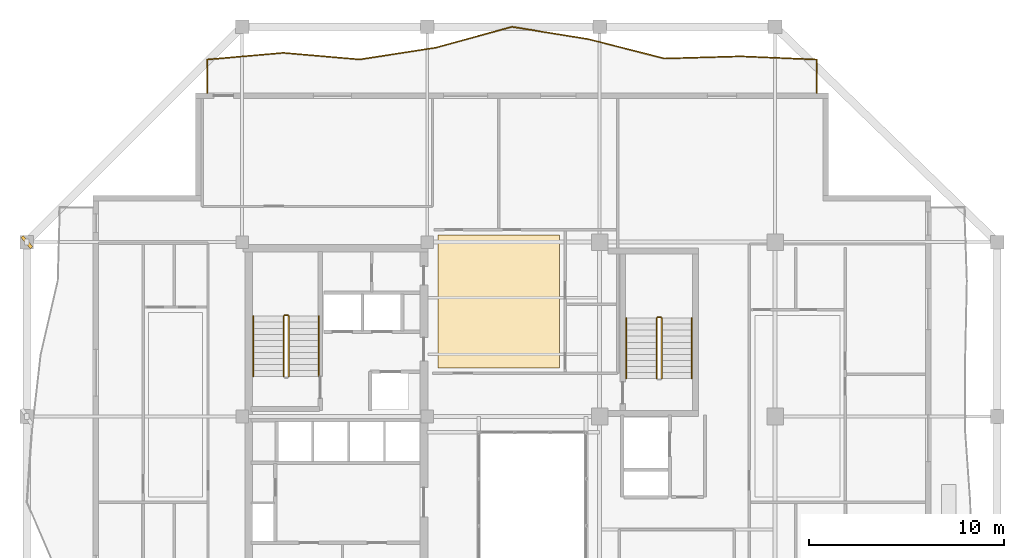
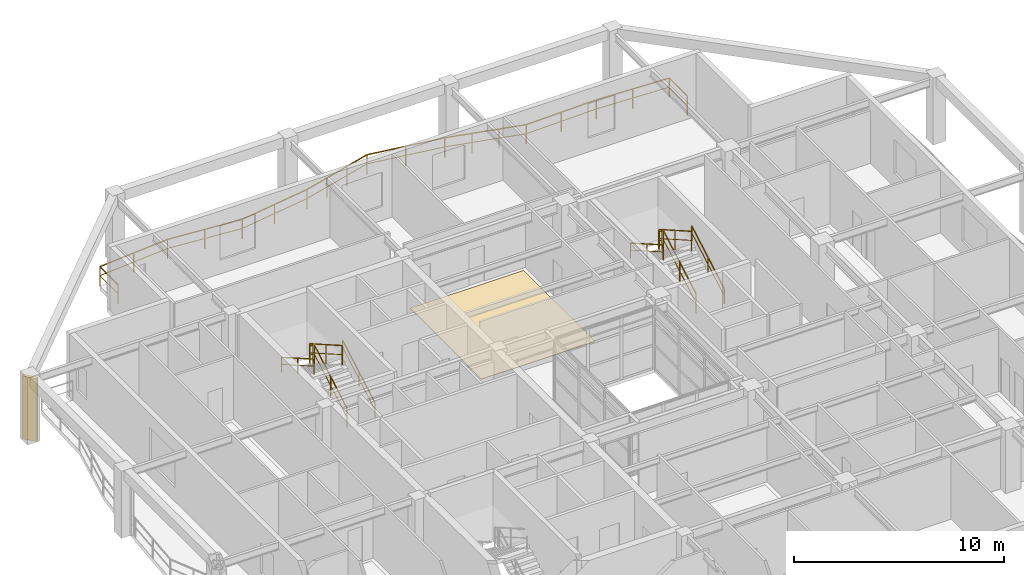
# One storey, part 14 of 15: 11 railings, 1 covering, 1 shading device.
"""IFC4 building model written with IfcOpenShell, lengths in metres."""

from ifc_helpers import new_model, si_unit, direction, frame, origin, origin_2d, place, context, subcontext, project, spatial, polyline, rectangle, outline, extrude, material, layer, layer_set, type_object, element, save


model = new_model("IFC4")

# Units and contexts
model_context = context("Model", 3, precision=1e-05, world=origin(), true_north=direction((0.0, 1.0)))
body_context = subcontext(model_context, "Body", "Model", "MODEL_VIEW")
ifc_project = project(units=[si_unit("LENGTHUNIT", "METRE"), si_unit("AREAUNIT", "SQUARE_METRE"), si_unit("VOLUMEUNIT", "CUBIC_METRE"), si_unit("PLANEANGLEUNIT", "RADIAN"), si_unit("MASSUNIT", "GRAM", prefix="KILO")], contexts=[model_context])

# Site, building, storey
site_placement = place(None, origin())
site = spatial("IfcSite", under=ifc_project, at=site_placement, CompositionType="ELEMENT")
building_placement = place(site_placement, origin())
building = spatial("IfcBuilding", under=site, at=building_placement, Name="Kundavana Baori Tower", CompositionType="ELEMENT")
storey_placement = place(building_placement, frame((0.0, 0.0, 214.10009765625)))
storey = spatial("IfcBuildingStorey", under=building, at=storey_placement, Name="L52", CompositionType="ELEMENT", Elevation=214.10009765625)

# Covering
ifc_material_1 = material(Name="Honed Kota Stone and Terrazzo Flooring", Category="masonry")
ifc_layer = layer(ifc_material_1, 0.030029296875, Name="COV-INT-FLR")
ifc_layer_set = layer_set([ifc_layer], Name="Honed Kota Stone and Terrazzo Flooring")
covering_type = type_object("IfcCoveringType", Name="COV-INT-FLR", PredefinedType="FLOORING", material=ifc_layer_set)
covering_placement = place(storey_placement, origin())
element("IfcCovering", 1, at=covering_placement, inside=storey, type_object=covering_type, Name="L52 Room Finished Stone Flooring 4", PredefinedType="FLOORING", context=body_context, shape_type="SweptSolid", body=[
    extrude(outline(polyline([(25.5, 35.5), (31.75, 35.5), (31.75, 42.31005859375), (25.5, 42.31005859375), (25.5, 35.5)])), origin(), (0.0, 0.0, 1.0), 0.02978515625),
])

# Railings
ifc_material_2 = material(Name="Architectural Patinated Bronze Metalwork")
railing_type_1 = type_object("IfcRailingType", Name="RL-BAL-1150", PredefinedType="BALUSTRADE", material=ifc_material_2)
railing_1_placement = place(storey_placement, frame((13.64990234375, 49.60009765625, 0.0)))
element("IfcRailing", 2, at=railing_1_placement, inside=storey, type_object=railing_type_1, Name="L52 Loggia Balcony Balustrade N", PredefinedType="BALUSTRADE", context=body_context, shape_type="SweptSolid", body=[
    extrude(rectangle(XDim=0.048095703125, YDim=0.048095703125, at=origin_2d()), frame((0.0, 0.0, 1.1259765625), z_axis=(0.0, 1.0, 0.0), x_axis=(-1.0, 0.0, 0.0)), (0.0, 0.0, 1.0), 1.719970703125),
    extrude(rectangle(XDim=0.03125, YDim=0.03125, at=origin_2d()), frame((0.0, 0.0, 0.597900390625), z_axis=(0.0, 1.0, 0.0), x_axis=(-1.0, 0.0, 0.0)), (0.0, 0.0, 1.0), 1.719970703125),
    extrude(rectangle(XDim=0.048095703125, YDim=0.048095703125, at=origin_2d()), frame((0.0, 1.719970703125, 1.1259765625), z_axis=(0.996134650998, 0.087839382293, 0.0), x_axis=(-0.087839382293, 0.996134650998, 0.0)), (0.0, 0.0, 1.0), 3.92724609375),
    extrude(rectangle(XDim=0.03125, YDim=0.03125, at=origin_2d()), frame((0.0, 1.719970703125, 0.597900390625), z_axis=(0.996134650998, 0.087839382293, 0.0), x_axis=(-0.087839382293, 0.996134650998, 0.0)), (0.0, 0.0, 1.0), 3.92724609375),
    extrude(rectangle(XDim=0.048095703125, YDim=0.048095703125, at=origin_2d()), frame((3.912109375, 2.06494140625, 1.1259765625), z_axis=(0.996265968205, -0.086337249179, 0.0), x_axis=(0.086337249179, 0.996265968205, 0.0)), (0.0, 0.0, 1.0), 3.927734375),
    extrude(rectangle(XDim=0.03125, YDim=0.03125, at=origin_2d()), frame((3.912109375, 2.06494140625, 0.597900390625), z_axis=(0.996265968205, -0.086337249179, 0.0), x_axis=(0.086337249179, 0.996265968205, 0.0)), (0.0, 0.0, 1.0), 3.927734375),
    extrude(rectangle(XDim=0.048095703125, YDim=0.048095703125, at=origin_2d()), frame((7.8251953125, 1.725830078125, 1.1259765625), z_axis=(0.988294579625, 0.15255760841, 0.0), x_axis=(-0.15255760841, 0.988294579625, 0.0)), (0.0, 0.0, 1.0), 3.959228515625),
    extrude(rectangle(XDim=0.03125, YDim=0.03125, at=origin_2d()), frame((7.8251953125, 1.725830078125, 0.597900390625), z_axis=(0.988294579625, 0.15255760841, 0.0), x_axis=(-0.15255760841, 0.988294579625, 0.0)), (0.0, 0.0, 1.0), 3.959228515625),
    extrude(rectangle(XDim=0.048095703125, YDim=0.048095703125, at=origin_2d()), frame((11.738037109375, 2.329833984375, 1.1259765625), z_axis=(0.964567688051, 0.263835507784, 0.0), x_axis=(-0.263835507784, 0.964567688051, 0.0)), (0.0, 0.0, 1.0), 4.055908203125),
    extrude(rectangle(XDim=0.03125, YDim=0.03125, at=origin_2d()), frame((11.738037109375, 2.329833984375, 0.597900390625), z_axis=(0.964567688051, 0.263835507784, 0.0), x_axis=(-0.263835507784, 0.964567688051, 0.0)), (0.0, 0.0, 1.0), 4.055908203125),
    extrude(rectangle(XDim=0.048095703125, YDim=0.048095703125, at=origin_2d()), frame((15.650146484375, 3.39990234375, 1.1259765625), z_axis=(0.987241120713, -0.159232438825, 0.0), x_axis=(0.159232438825, 0.987241120713, 0.0)), (0.0, 0.0, 1.0), 3.96337890625),
    extrude(rectangle(XDim=0.03125, YDim=0.03125, at=origin_2d()), frame((15.650146484375, 3.39990234375, 0.597900390625), z_axis=(0.987241120713, -0.159232438825, 0.0), x_axis=(0.159232438825, 0.987241120713, 0.0)), (0.0, 0.0, 1.0), 3.96337890625),
    extrude(rectangle(XDim=0.048095703125, YDim=0.048095703125, at=origin_2d()), frame((19.56298828125, 2.768798828125, 1.1259765625), z_axis=(0.969152617232, -0.246461365153, 0.0), x_axis=(0.246461365153, 0.969152617232, 0.0)), (0.0, 0.0, 1.0), 4.03662109375),
    extrude(rectangle(XDim=0.03125, YDim=0.03125, at=origin_2d()), frame((19.56298828125, 2.768798828125, 0.597900390625), z_axis=(0.969152617232, -0.246461365153, 0.0), x_axis=(0.246461365153, 0.969152617232, 0.0)), (0.0, 0.0, 1.0), 4.03662109375),
    extrude(rectangle(XDim=0.048095703125, YDim=0.048095703125, at=origin_2d()), frame((23.47509765625, 1.77392578125, 1.1259765625), z_axis=(0.999583033059, 0.028874902939, 0.0), x_axis=(-0.028874902939, 0.999583033059, 0.0)), (0.0, 0.0, 1.0), 3.914794921875),
    extrude(rectangle(XDim=0.03125, YDim=0.03125, at=origin_2d()), frame((23.47509765625, 1.77392578125, 0.597900390625), z_axis=(0.999583033059, 0.028874902939, 0.0), x_axis=(-0.028874902939, 0.999583033059, 0.0)), (0.0, 0.0, 1.0), 3.914794921875),
    extrude(rectangle(XDim=0.048095703125, YDim=0.048095703125, at=origin_2d()), frame((27.38818359375, 1.886962890625, 1.1259765625), z_axis=(0.999090083647, -0.042649792, 0.0), x_axis=(0.042649792, 0.999090083647, 0.0)), (0.0, 0.0, 1.0), 3.91552734375),
    extrude(rectangle(XDim=0.03125, YDim=0.03125, at=origin_2d()), frame((27.38818359375, 1.886962890625, 0.597900390625), z_axis=(0.999090083647, -0.042649792, 0.0), x_axis=(0.042649792, 0.999090083647, 0.0)), (0.0, 0.0, 1.0), 3.91552734375),
    extrude(rectangle(XDim=0.048095703125, YDim=0.048095703125, at=origin_2d()), frame((31.300048828125, 1.719970703125, 1.1259765625), z_axis=(0.0, -1.0, 0.0), x_axis=(1.0, 0.0, 0.0)), (0.0, 0.0, 1.0), 1.719970703125),
    extrude(rectangle(XDim=0.03125, YDim=0.03125, at=origin_2d()), frame((31.300048828125, 1.719970703125, 0.597900390625), z_axis=(0.0, -1.0, 0.0), x_axis=(1.0, 0.0, 0.0)), (0.0, 0.0, 1.0), 1.719970703125),
    extrude(rectangle(XDim=0.0419921875, YDim=0.0419921875, at=origin_2d()), origin(), (0.0, 0.0, 1.0), 1.101806640625),
    extrude(rectangle(XDim=0.0419921875, YDim=0.0419921875, at=origin_2d()), frame((0.0, 1.719970703125, 0.0)), (0.0, 0.0, 1.0), 1.101806640625),
    extrude(rectangle(XDim=0.0419921875, YDim=0.0419921875, at=origin_2d()), frame((1.9560546875, 1.892578125, 0.0)), (0.0, 0.0, 1.0), 1.101806640625),
    extrude(rectangle(XDim=0.0419921875, YDim=0.0419921875, at=origin_2d()), frame((3.912109375, 2.06494140625, 0.0)), (0.0, 0.0, 1.0), 1.101806640625),
    extrude(rectangle(XDim=0.0419921875, YDim=0.0419921875, at=origin_2d()), frame((5.86865234375, 1.8955078125, 0.0)), (0.0, 0.0, 1.0), 1.101806640625),
    extrude(rectangle(XDim=0.0419921875, YDim=0.0419921875, at=origin_2d()), frame((7.8251953125, 1.725830078125, 0.0)), (0.0, 0.0, 1.0), 1.101806640625),
    extrude(rectangle(XDim=0.0419921875, YDim=0.0419921875, at=origin_2d()), frame((9.78173828125, 2.02783203125, 0.0)), (0.0, 0.0, 1.0), 1.101806640625),
    extrude(rectangle(XDim=0.0419921875, YDim=0.0419921875, at=origin_2d()), frame((11.738037109375, 2.329833984375, 0.0)), (0.0, 0.0, 1.0), 1.101806640625),
    extrude(rectangle(XDim=0.0419921875, YDim=0.0419921875, at=origin_2d()), frame((13.0419921875, 2.6865234375, 0.0)), (0.0, 0.0, 1.0), 1.101806640625),
    extrude(rectangle(XDim=0.0419921875, YDim=0.0419921875, at=origin_2d()), frame((14.34619140625, 3.043212890625, 0.0)), (0.0, 0.0, 1.0), 1.101806640625),
    extrude(rectangle(XDim=0.0419921875, YDim=0.0419921875, at=origin_2d()), frame((15.650146484375, 3.39990234375, 0.0)), (0.0, 0.0, 1.0), 1.101806640625),
    extrude(rectangle(XDim=0.0419921875, YDim=0.0419921875, at=origin_2d()), frame((17.6064453125, 3.08447265625, 0.0)), (0.0, 0.0, 1.0), 1.101806640625),
    extrude(rectangle(XDim=0.0419921875, YDim=0.0419921875, at=origin_2d()), frame((19.56298828125, 2.768798828125, 0.0)), (0.0, 0.0, 1.0), 1.101806640625),
    extrude(rectangle(XDim=0.0419921875, YDim=0.0419921875, at=origin_2d()), frame((20.866943359375, 2.437255859375, 0.0)), (0.0, 0.0, 1.0), 1.101806640625),
    extrude(rectangle(XDim=0.0419921875, YDim=0.0419921875, at=origin_2d()), frame((22.171142578125, 2.10546875, 0.0)), (0.0, 0.0, 1.0), 1.101806640625),
    extrude(rectangle(XDim=0.0419921875, YDim=0.0419921875, at=origin_2d()), frame((23.47509765625, 1.77392578125, 0.0)), (0.0, 0.0, 1.0), 1.101806640625),
    extrude(rectangle(XDim=0.0419921875, YDim=0.0419921875, at=origin_2d()), frame((25.431640625, 1.83056640625, 0.0)), (0.0, 0.0, 1.0), 1.101806640625),
    extrude(rectangle(XDim=0.0419921875, YDim=0.0419921875, at=origin_2d()), frame((27.38818359375, 1.886962890625, 0.0)), (0.0, 0.0, 1.0), 1.101806640625),
    extrude(rectangle(XDim=0.0419921875, YDim=0.0419921875, at=origin_2d()), frame((29.34423828125, 1.803466796875, 0.0)), (0.0, 0.0, 1.0), 1.101806640625),
    extrude(rectangle(XDim=0.0419921875, YDim=0.0419921875, at=origin_2d()), frame((31.300048828125, 1.719970703125, 0.0)), (0.0, 0.0, 1.0), 1.101806640625),
    extrude(rectangle(XDim=0.0419921875, YDim=0.0419921875, at=origin_2d()), frame((31.300048828125, 0.0, 0.0)), (0.0, 0.0, 1.0), 1.101806640625),
])
ifc_material_3 = material(Name="Architectural Patinated Bronze Metalwork")
railing_type_2 = type_object("IfcRailingType", Name="RL-GRD-1150", PredefinedType="GUARDRAIL", material=ifc_material_3)
railing_2_placement = place(storey_placement, frame((17.840087890625, 35.050048828125, 0.17724609375)))
element("IfcRailing", 3, at=railing_2_placement, inside=storey, type_object=railing_type_2, Name="L52 ST2 stair guard 1", PredefinedType="GUARDRAIL", context=body_context, shape_type="SweptSolid", body=[
    extrude(rectangle(XDim=0.048095703125, YDim=0.048095703125, at=origin_2d()), frame((0.0, 0.0, 1.1259765625), z_axis=(0.0, 0.868079009454, 0.496426060301), x_axis=(-1.0, 0.0, 0.0)), (0.0, 0.0, 1.0), 3.571044921875),
    extrude(rectangle(XDim=0.03125, YDim=0.03125, at=origin_2d()), frame((0.0, 0.0, 0.597900390625), z_axis=(0.0, 0.868079009454, 0.496426060301), x_axis=(-1.0, 0.0, 0.0)), (0.0, 0.0, 1.0), 3.571044921875),
    extrude(rectangle(XDim=0.0419921875, YDim=0.0419921875, at=origin_2d()), origin(), (0.0, 0.0, 1.0), 1.101806640625),
    extrude(rectangle(XDim=0.0419921875, YDim=0.0419921875, at=origin_2d()), frame((0.0, 1.5498046875, 0.88623046875)), (0.0, 0.0, 1.0), 1.101806640625),
    extrude(rectangle(XDim=0.0419921875, YDim=0.0419921875, at=origin_2d()), frame((0.0, 3.099853515625, 1.772705078125)), (0.0, 0.0, 1.0), 1.101806640625),
])
railing_3_placement = place(storey_placement, frame((17.7900390625, 38.199951171875, 1.949951171875)))
element("IfcRailing", 4, at=railing_3_placement, inside=storey, type_object=railing_type_2, Name="L52 ST2 stair guard 2", PredefinedType="GUARDRAIL", context=body_context, shape_type="SweptSolid", body=[
    extrude(rectangle(XDim=0.048095703125, YDim=0.048095703125, at=origin_2d()), frame((0.0, 0.0, 1.1259765625), z_axis=(-1.0, 0.0, 0.0), x_axis=(0.0, -1.0, 0.0)), (0.0, 0.0, 1.0), 0.16015625),
    extrude(rectangle(XDim=0.03125, YDim=0.03125, at=origin_2d()), frame((0.0, 0.0, 0.597900390625), z_axis=(-1.0, 0.0, 0.0), x_axis=(0.0, -1.0, 0.0)), (0.0, 0.0, 1.0), 0.16015625),
    extrude(rectangle(XDim=0.0419921875, YDim=0.0419921875, at=origin_2d()), origin(), (0.0, 0.0, 1.0), 1.101806640625),
    extrude(rectangle(XDim=0.0419921875, YDim=0.0419921875, at=origin_2d()), frame((-0.16015625, 0.0, 0.0)), (0.0, 0.0, 1.0), 1.101806640625),
])
railing_4_placement = place(storey_placement, frame((17.580078125, 38.14990234375, 2.127197265625)))
element("IfcRailing", 5, at=railing_4_placement, inside=storey, type_object=railing_type_2, Name="L52 ST2 stair guard 3", PredefinedType="GUARDRAIL", context=body_context, shape_type="SweptSolid", body=[
    extrude(rectangle(XDim=0.048095703125, YDim=0.048095703125, at=origin_2d()), frame((0.0, 0.0, 1.1259765625), z_axis=(0.0, -0.868079009454, 0.496426060301), x_axis=(1.0, 0.0, 0.0)), (0.0, 0.0, 1.0), 3.571044921875),
    extrude(rectangle(XDim=0.03125, YDim=0.03125, at=origin_2d()), frame((0.0, 0.0, 0.597900390625), z_axis=(0.0, -0.868079009454, 0.496426060301), x_axis=(1.0, 0.0, 0.0)), (0.0, 0.0, 1.0), 3.571044921875),
    extrude(rectangle(XDim=0.0419921875, YDim=0.0419921875, at=origin_2d()), origin(), (0.0, 0.0, 1.0), 1.101806640625),
    extrude(rectangle(XDim=0.0419921875, YDim=0.0419921875, at=origin_2d()), frame((0.0, -1.5498046875, 0.88623046875)), (0.0, 0.0, 1.0), 1.101806640625),
    extrude(rectangle(XDim=0.0419921875, YDim=0.0419921875, at=origin_2d()), frame((0.0, -3.099853515625, 1.772705078125)), (0.0, 0.0, 1.0), 1.101806640625),
])
railing_5_placement = place(storey_placement, frame((36.97998046875, 34.949951171875, 0.17724609375)))
element("IfcRailing", 6, at=railing_5_placement, inside=storey, type_object=railing_type_2, Name="L52 ST3 stair guard 1", PredefinedType="GUARDRAIL", context=body_context, shape_type="SweptSolid", body=[
    extrude(rectangle(XDim=0.048095703125, YDim=0.048095703125, at=origin_2d()), frame((0.0, 0.0, 1.1259765625), z_axis=(0.0, 0.868095856688, 0.496396599103), x_axis=(-1.0, 0.0, 0.0)), (0.0, 0.0, 1.0), 3.571044921875),
    extrude(rectangle(XDim=0.03125, YDim=0.03125, at=origin_2d()), frame((0.0, 0.0, 0.597900390625), z_axis=(0.0, 0.868095856688, 0.496396599103), x_axis=(-1.0, 0.0, 0.0)), (0.0, 0.0, 1.0), 3.571044921875),
    extrude(rectangle(XDim=0.0419921875, YDim=0.0419921875, at=origin_2d()), origin(), (0.0, 0.0, 1.0), 1.101806640625),
    extrude(rectangle(XDim=0.0419921875, YDim=0.0419921875, at=origin_2d()), frame((0.0, 1.550048828125, 0.88623046875)), (0.0, 0.0, 1.0), 1.101806640625),
    extrude(rectangle(XDim=0.0419921875, YDim=0.0419921875, at=origin_2d()), frame((0.0, 3.10009765625, 1.772705078125)), (0.0, 0.0, 1.0), 1.101806640625),
])
railing_6_placement = place(storey_placement, frame((36.929931640625, 38.10009765625, 1.949951171875)))
element("IfcRailing", 7, at=railing_6_placement, inside=storey, type_object=railing_type_2, Name="L52 ST3 stair guard 2", PredefinedType="GUARDRAIL", context=body_context, shape_type="SweptSolid", body=[
    extrude(rectangle(XDim=0.048095703125, YDim=0.048095703125, at=origin_2d()), frame((0.0, 0.0, 1.1259765625), z_axis=(-1.0, 0.0, 0.0), x_axis=(0.0, -1.0, 0.0)), (0.0, 0.0, 1.0), 0.159912109375),
    extrude(rectangle(XDim=0.03125, YDim=0.03125, at=origin_2d()), frame((0.0, 0.0, 0.597900390625), z_axis=(-1.0, 0.0, 0.0), x_axis=(0.0, -1.0, 0.0)), (0.0, 0.0, 1.0), 0.159912109375),
    extrude(rectangle(XDim=0.0419921875, YDim=0.0419921875, at=origin_2d()), origin(), (0.0, 0.0, 1.0), 1.101806640625),
    extrude(rectangle(XDim=0.0419921875, YDim=0.0419921875, at=origin_2d()), frame((-0.159912109375, 0.0, 0.0)), (0.0, 0.0, 1.0), 1.101806640625),
])
railing_7_placement = place(storey_placement, frame((36.719970703125, 38.050048828125, 2.127197265625)))
element("IfcRailing", 8, at=railing_7_placement, inside=storey, type_object=railing_type_2, Name="L52 ST3 stair guard 3", PredefinedType="GUARDRAIL", context=body_context, shape_type="SweptSolid", body=[
    extrude(rectangle(XDim=0.048095703125, YDim=0.048095703125, at=origin_2d()), frame((0.0, 0.0, 1.1259765625), z_axis=(0.0, -0.868095856688, 0.496396599103), x_axis=(1.0, 0.0, 0.0)), (0.0, 0.0, 1.0), 3.571044921875),
    extrude(rectangle(XDim=0.03125, YDim=0.03125, at=origin_2d()), frame((0.0, 0.0, 0.597900390625), z_axis=(0.0, -0.868095856688, 0.496396599103), x_axis=(1.0, 0.0, 0.0)), (0.0, 0.0, 1.0), 3.571044921875),
    extrude(rectangle(XDim=0.0419921875, YDim=0.0419921875, at=origin_2d()), origin(), (0.0, 0.0, 1.0), 1.101806640625),
    extrude(rectangle(XDim=0.0419921875, YDim=0.0419921875, at=origin_2d()), frame((0.0, -1.550048828125, 0.88623046875)), (0.0, 0.0, 1.0), 1.101806640625),
    extrude(rectangle(XDim=0.0419921875, YDim=0.0419921875, at=origin_2d()), frame((0.0, -3.10009765625, 1.772705078125)), (0.0, 0.0, 1.0), 1.101806640625),
])
ifc_material_4 = material(Name="Architectural Patinated Bronze Metalwork")
railing_type_3 = type_object("IfcRailingType", Name="RL-HND-920", PredefinedType="HANDRAIL", material=ifc_material_4)
railing_8_placement = place(storey_placement, frame((19.389892578125, 35.050048828125, 0.17724609375)))
element("IfcRailing", 9, at=railing_8_placement, inside=storey, type_object=railing_type_3, Name="L52 ST2 stair handrail 1", PredefinedType="HANDRAIL", context=body_context, shape_type="SweptSolid", body=[
    extrude(rectangle(XDim=0.048095703125, YDim=0.048095703125, at=origin_2d()), frame((0.0, 0.0, 0.8759765625), z_axis=(0.0, 0.868079009454, 0.496426060301), x_axis=(-1.0, 0.0, 0.0)), (0.0, 0.0, 1.0), 3.571044921875),
    extrude(rectangle(XDim=0.03125, YDim=0.03125, at=origin_2d()), frame((0.0, 0.0, 0.468017578125), z_axis=(0.0, 0.868079009454, 0.496426060301), x_axis=(-1.0, 0.0, 0.0)), (0.0, 0.0, 1.0), 3.571044921875),
    extrude(rectangle(XDim=0.0419921875, YDim=0.0419921875, at=origin_2d()), origin(), (0.0, 0.0, 1.0), 0.851806640625),
    extrude(rectangle(XDim=0.0419921875, YDim=0.0419921875, at=origin_2d()), frame((0.0, 1.5498046875, 0.88623046875)), (0.0, 0.0, 1.0), 0.851806640625),
    extrude(rectangle(XDim=0.0419921875, YDim=0.0419921875, at=origin_2d()), frame((0.0, 3.099853515625, 1.772705078125)), (0.0, 0.0, 1.0), 0.851806640625),
])
railing_9_placement = place(storey_placement, frame((16.030029296875, 38.14990234375, 2.127197265625)))
element("IfcRailing", 10, at=railing_9_placement, inside=storey, type_object=railing_type_3, Name="L52 ST2 stair handrail 2", PredefinedType="HANDRAIL", context=body_context, shape_type="SweptSolid", body=[
    extrude(rectangle(XDim=0.048095703125, YDim=0.048095703125, at=origin_2d()), frame((0.0, 0.0, 0.8759765625), z_axis=(0.0, -0.868079009454, 0.496426060301), x_axis=(1.0, 0.0, 0.0)), (0.0, 0.0, 1.0), 3.571044921875),
    extrude(rectangle(XDim=0.03125, YDim=0.03125, at=origin_2d()), frame((0.0, 0.0, 0.468017578125), z_axis=(0.0, -0.868079009454, 0.496426060301), x_axis=(1.0, 0.0, 0.0)), (0.0, 0.0, 1.0), 3.571044921875),
    extrude(rectangle(XDim=0.0419921875, YDim=0.0419921875, at=origin_2d()), origin(), (0.0, 0.0, 1.0), 0.851806640625),
    extrude(rectangle(XDim=0.0419921875, YDim=0.0419921875, at=origin_2d()), frame((0.0, -1.5498046875, 0.88623046875)), (0.0, 0.0, 1.0), 0.851806640625),
    extrude(rectangle(XDim=0.0419921875, YDim=0.0419921875, at=origin_2d()), frame((0.0, -3.099853515625, 1.772705078125)), (0.0, 0.0, 1.0), 0.851806640625),
])
railing_10_placement = place(storey_placement, frame((38.530029296875, 34.949951171875, 0.17724609375)))
element("IfcRailing", 11, at=railing_10_placement, inside=storey, type_object=railing_type_3, Name="L52 ST3 stair handrail 1", PredefinedType="HANDRAIL", context=body_context, shape_type="SweptSolid", body=[
    extrude(rectangle(XDim=0.048095703125, YDim=0.048095703125, at=origin_2d()), frame((0.0, 0.0, 0.8759765625), z_axis=(0.0, 0.868095856688, 0.496396599103), x_axis=(-1.0, 0.0, 0.0)), (0.0, 0.0, 1.0), 3.571044921875),
    extrude(rectangle(XDim=0.03125, YDim=0.03125, at=origin_2d()), frame((0.0, 0.0, 0.468017578125), z_axis=(0.0, 0.868095856688, 0.496396599103), x_axis=(-1.0, 0.0, 0.0)), (0.0, 0.0, 1.0), 3.571044921875),
    extrude(rectangle(XDim=0.0419921875, YDim=0.0419921875, at=origin_2d()), origin(), (0.0, 0.0, 1.0), 0.851806640625),
    extrude(rectangle(XDim=0.0419921875, YDim=0.0419921875, at=origin_2d()), frame((0.0, 1.550048828125, 0.88623046875)), (0.0, 0.0, 1.0), 0.851806640625),
    extrude(rectangle(XDim=0.0419921875, YDim=0.0419921875, at=origin_2d()), frame((0.0, 3.10009765625, 1.772705078125)), (0.0, 0.0, 1.0), 0.851806640625),
])
railing_11_placement = place(storey_placement, frame((35.169921875, 38.050048828125, 2.127197265625)))
element("IfcRailing", 12, at=railing_11_placement, inside=storey, type_object=railing_type_3, Name="L52 ST3 stair handrail 2", PredefinedType="HANDRAIL", context=body_context, shape_type="SweptSolid", body=[
    extrude(rectangle(XDim=0.048095703125, YDim=0.048095703125, at=origin_2d()), frame((0.0, 0.0, 0.8759765625), z_axis=(0.0, -0.868095856688, 0.496396599103), x_axis=(1.0, 0.0, 0.0)), (0.0, 0.0, 1.0), 3.571044921875),
    extrude(rectangle(XDim=0.03125, YDim=0.03125, at=origin_2d()), frame((0.0, 0.0, 0.468017578125), z_axis=(0.0, -0.868095856688, 0.496396599103), x_axis=(1.0, 0.0, 0.0)), (0.0, 0.0, 1.0), 3.571044921875),
    extrude(rectangle(XDim=0.0419921875, YDim=0.0419921875, at=origin_2d()), origin(), (0.0, 0.0, 1.0), 0.851806640625),
    extrude(rectangle(XDim=0.0419921875, YDim=0.0419921875, at=origin_2d()), frame((0.0, -1.550048828125, 0.88623046875)), (0.0, 0.0, 1.0), 0.851806640625),
    extrude(rectangle(XDim=0.0419921875, YDim=0.0419921875, at=origin_2d()), frame((0.0, -3.10009765625, 1.772705078125)), (0.0, 0.0, 1.0), 0.851806640625),
])

# Shading device
ifc_material_5 = material(Name="Red-Buff Dholpur Sandstone Cladding on Concrete C40/50", Category="masonry")
shading_device_type = type_object("IfcShadingDeviceType", Name="SHD-FIN-750", PredefinedType="JALOUSIE", material=ifc_material_5)
shading_device_placement = place(storey_placement, frame((4.39990234375, 41.949951171875, 0.0), z_axis=(0.0, 0.0, 1.0), x_axis=(0.757451044777, 0.652891962553, 0.0)))
element("IfcShadingDevice", 13, at=shading_device_placement, inside=storey, type_object=shading_device_type, Name="L52 Sweeping Dholpur Sandstone Facade Fin 8", PredefinedType="JALOUSIE", context=body_context, shape_type="SweptSolid", body=[
    extrude(rectangle(XDim=0.159912109375, YDim=0.75, at=origin_2d()), origin(), (0.0, 0.0, 1.0), 3.659912109375),
])

save(model, "model.ifc")
